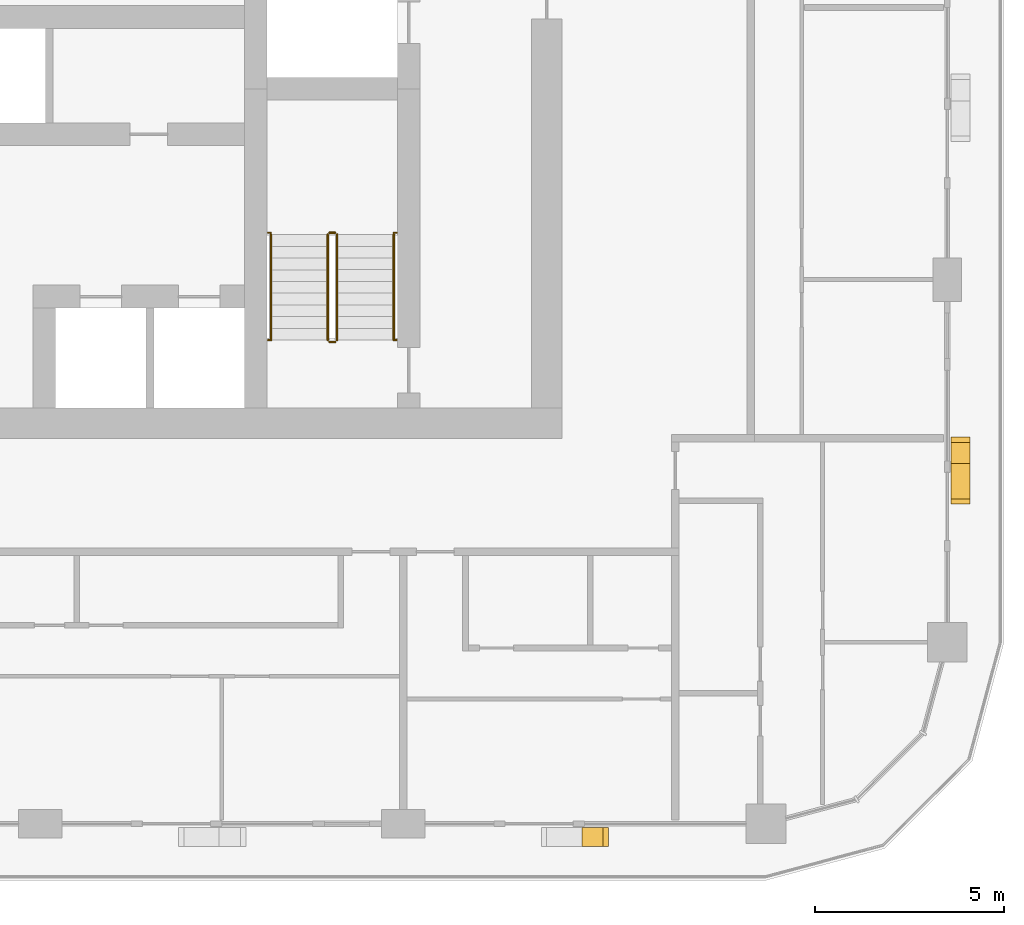
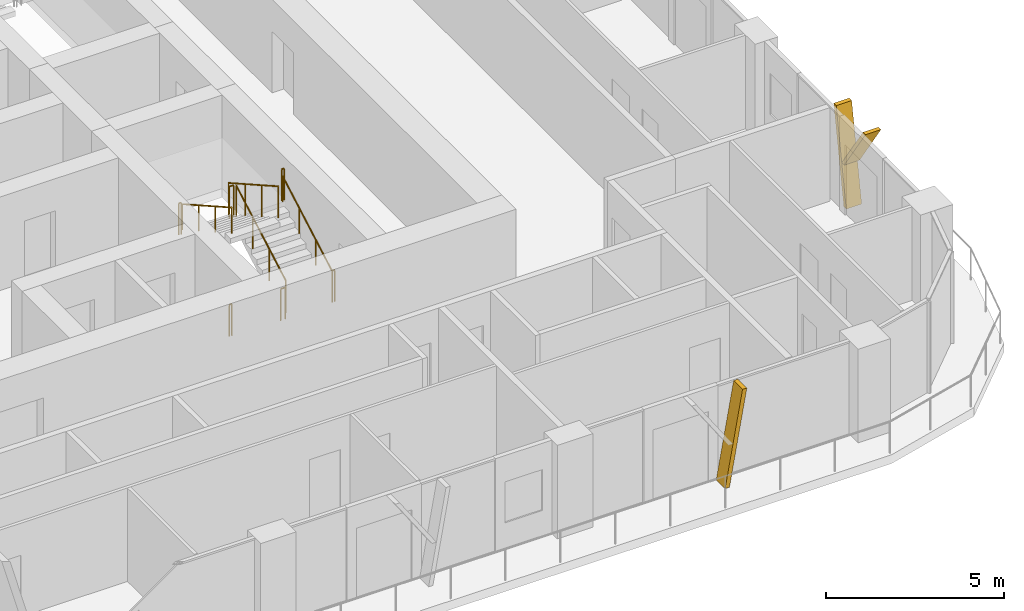
# One storey, part 19 of 22: 10 railings, 3 shading devices.
"""IFC4 building model written with IfcOpenShell, lengths in metres."""

import ifcopenshell
import ifcopenshell.guid

model = None  # the IFC model being written
_history = None  # IfcOwnerHistory: only IFC2X3 demands one
_inside = {}  # id of a spatial element -> (the spatial element, [elements in it])
_under = {}  # id of a project, library or spatial element -> (it, [spatial elements below it])
_declared = {}  # id of a project -> (the project, [libraries it declares])
_typed = {}  # id of a type object -> (the type object, [elements of that type])
_made_of = {}  # id of a material, layer set ... -> (it, [elements and type objects made of it])


def new_model(schema):
    """Start an empty IFC model of exactly this schema.

    Asked for "IFC4X3", IfcOpenShell would pick the latest addendum, in which some entities
    have other attributes; the version numbers below select the first issue.
    IFC2X3 requires an IfcOwnerHistory on every rooted entity: one is made here for all.
    """
    global model, _history
    if schema == "IFC4X3":
        model = ifcopenshell.file(schema_version=(4, 3, 0, 0))
    else:
        model = ifcopenshell.file(schema=schema)
    _inside.clear()
    _under.clear()
    _declared.clear()
    _typed.clear()
    _made_of.clear()
    _history = None
    if model.schema == "IFC2X3":
        org = make("IfcOrganization", Name="unknown")
        user = make(
            "IfcPersonAndOrganization",
            ThePerson=make("IfcPerson", FamilyName="unknown"),
            TheOrganization=org,
        )
        app = make(
            "IfcApplication",
            ApplicationDeveloper=org,
            Version="unknown",
            ApplicationFullName="unknown",
            ApplicationIdentifier="unknown",
        )
        _history = make(
            "IfcOwnerHistory",
            OwningUser=user,
            OwningApplication=app,
            ChangeAction="ADDED",
            CreationDate=0,
        )
    return model


def make(cls, **values):
    """One entity of the class cls with the attributes given. An attribute that is None is left unset."""
    return model.create_entity(
        cls, **{name: value for name, value in values.items() if value is not None}
    )


def rooted(cls, **values):
    """An entity with a GlobalId (a new one), such as an element, a storey or a relation."""
    return make(cls, GlobalId=ifcopenshell.guid.new(), OwnerHistory=_history, **values)


def si_unit(unit_type, name, prefix=None):
    """IfcSIUnit, for example si_unit("LENGTHUNIT", "METRE", prefix="MILLI")."""
    return make("IfcSIUnit", UnitType=unit_type, Prefix=prefix, Name=name)


def assignment(units):
    """IfcUnitAssignment: the units of a project."""
    return None if units is None else make("IfcUnitAssignment", Units=units)


def point(xyz):
    """IfcCartesianPoint."""
    return None if xyz is None else make("IfcCartesianPoint", Coordinates=xyz)


def direction(xyz):
    """IfcDirection."""
    return None if xyz is None else make("IfcDirection", DirectionRatios=xyz)


def frame(location, z_axis=None, x_axis=None):
    """IfcAxis2Placement3D, a coordinate frame: its origin and axes. An axis left out is left unset."""
    return make(
        "IfcAxis2Placement3D",
        Location=point(location),
        Axis=direction(z_axis),
        RefDirection=direction(x_axis),
    )


def frame_2d(location, x_axis=None):
    """IfcAxis2Placement2D, a coordinate frame in the plane: its origin and x axis."""
    return make(
        "IfcAxis2Placement2D", Location=point(location), RefDirection=direction(x_axis)
    )


def origin():
    """The frame at (0, 0, 0) with its axes left unset."""
    return frame((0.0, 0.0, 0.0))


def origin_2d():
    """The frame at (0, 0) in the plane with its x axis left unset."""
    return frame_2d((0.0, 0.0))


def place(relative_to, where):
    """IfcLocalPlacement: puts the frame where relative to a parent placement (None: the world)."""
    return make(
        "IfcLocalPlacement", PlacementRelTo=relative_to, RelativePlacement=where
    )


def context(
    kind, dimensions, precision=None, world=None, true_north=None, identifier=None
):
    """IfcGeometricRepresentationContext, for example the 3D "Model" context."""
    return make(
        "IfcGeometricRepresentationContext",
        ContextIdentifier=identifier,
        ContextType=kind,
        CoordinateSpaceDimension=dimensions,
        Precision=precision,
        WorldCoordinateSystem=world,
        TrueNorth=true_north,
    )


def subcontext(parent, identifier, kind, view, scale=None):
    """IfcGeometricRepresentationSubContext, for example "Body" below "Model"."""
    return make(
        "IfcGeometricRepresentationSubContext",
        ContextIdentifier=identifier,
        ContextType=kind,
        ParentContext=parent,
        TargetScale=scale,
        TargetView=view,
    )


def project(units=None, contexts=None):
    """IfcProject with its units and contexts."""
    return rooted(
        "IfcProject",
        Name="project",
        RepresentationContexts=contexts,
        UnitsInContext=assignment(units),
    )


def spatial(cls, under=None, at=None, **own):
    """A site, building, storey or space (cls), placed at a placement, below another one or the project."""
    s = rooted(cls, ObjectPlacement=at, **own)
    if under is not None:
        _under.setdefault(under.id(), (under, []))[1].append(s)
    return s


def polyline(points):
    """IfcPolyline through the points."""
    return make("IfcPolyline", Points=[point(p) for p in points])


def profile(cls, at=None, kind="AREA", **sizes):
    """A parametric profile (cls). Its sizes go by their IFC names, for example OverallWidth=200.0."""
    return make(cls, ProfileType=kind, Position=at, **sizes)


def circle(**sizes):
    """IfcCircleProfileDef."""
    return profile("IfcCircleProfileDef", **sizes)


def outline(outer, holes=None, kind="AREA"):
    """IfcArbitraryClosedProfileDef: a profile drawn as a closed curve; with holes, ...WithVoids."""
    if holes is None:
        return make("IfcArbitraryClosedProfileDef", ProfileType=kind, OuterCurve=outer)
    return make(
        "IfcArbitraryProfileDefWithVoids",
        ProfileType=kind,
        OuterCurve=outer,
        InnerCurves=holes,
    )


def extrude(swept, where, along, depth):
    """IfcExtrudedAreaSolid: the profile swept, set in the frame where, extruded along a direction by depth."""
    return make(
        "IfcExtrudedAreaSolid",
        SweptArea=swept,
        Position=where,
        ExtrudedDirection=direction(along),
        Depth=depth,
    )


def shape(context_of_items, identifier, shape_type, items):
    """IfcShapeRepresentation: the items that make up one representation, for example the "Body"."""
    return make(
        "IfcShapeRepresentation",
        ContextOfItems=context_of_items,
        RepresentationIdentifier=identifier,
        RepresentationType=shape_type,
        Items=items,
    )


def material(Name=None, Category=None):
    """IfcMaterial."""
    return make("IfcMaterial", Name=Name, Category=Category)


def made_of(thing, what):
    """Note that an element or type object is made of a material, layer set ...; save() writes the relation."""
    if what is not None:
        _made_of.setdefault(what.id(), (what, []))[1].append(thing)
    return thing


def type_object(cls, material=None, **own):
    """A type object (cls), such as IfcWallType, which elements share."""
    return made_of(rooted(cls, **own), material)


def element(
    cls,
    number,
    at=None,
    inside=None,
    cuts=None,
    type_object=None,
    material=None,
    context=None,
    identifier="Body",
    shape_type=None,
    held_by="IfcProductDefinitionShape",
    body=None,
    shapes=None,
    **own,
):
    """One element of the class cls, such as IfcWall. Its Tag is "e" and its number.

    at: its placement. inside: the storey or other place that contains it. cuts: it is an
    opening in that element (IfcRelVoidsElement). A single representation is given by context,
    identifier, shape_type and body (its items); several are given by shapes. held_by: the class
    of the entity that holds the representations. save() writes the other relations.
    """
    e = rooted(cls, Tag="e%d" % number, ObjectPlacement=at, **own)
    if body is not None:
        shapes = [shape(context, identifier, shape_type, body)]
    if shapes is not None:
        e.Representation = make(held_by, Representations=shapes)
    if inside is not None:
        _inside.setdefault(inside.id(), (inside, []))[1].append(e)
    if cuts is not None:
        rooted(
            "IfcRelVoidsElement", RelatingBuildingElement=cuts, RelatedOpeningElement=e
        )
    if type_object is not None:
        _typed.setdefault(type_object.id(), (type_object, []))[1].append(e)
    return made_of(e, material)


def aggregate(whole, parts):
    """IfcRelAggregates: a whole, such as a stair, and the parts it consists of."""
    return rooted("IfcRelAggregates", RelatingObject=whole, RelatedObjects=parts)


def save(model, path):
    """Write the relations noted so far, then the file.

    IfcRelAggregates (storeys below a building ...), IfcRelContainedInSpatialStructure (elements
    in a storey), IfcRelDefinesByType, IfcRelAssociatesMaterial and IfcRelDeclares: one each for
    every whole, place, type object, material and project.
    """
    for whole, parts in _under.values():
        aggregate(whole, parts)
    for where, things in _inside.values():
        rooted(
            "IfcRelContainedInSpatialStructure",
            RelatedElements=things,
            RelatingStructure=where,
        )
    for kind, things in _typed.values():
        rooted("IfcRelDefinesByType", RelatedObjects=things, RelatingType=kind)
    for what, things in _made_of.values():
        rooted("IfcRelAssociatesMaterial", RelatedObjects=things, RelatingMaterial=what)
    for by, libraries in _declared.values():
        rooted("IfcRelDeclares", RelatingContext=by, RelatedDefinitions=libraries)
    model.write(path)


model = new_model("IFC4")

# Units and contexts
model_context = context("Model", 3, precision=1e-05, world=origin(), true_north=direction((0.0, 1.0)))
body_context = subcontext(model_context, "Body", "Model", "MODEL_VIEW")
ifc_project = project(units=[si_unit("LENGTHUNIT", "METRE"), si_unit("AREAUNIT", "SQUARE_METRE"), si_unit("VOLUMEUNIT", "CUBIC_METRE"), si_unit("PLANEANGLEUNIT", "RADIAN"), si_unit("MASSUNIT", "GRAM", prefix="KILO")], contexts=[model_context])

# Site, building, storey
site_placement = place(None, origin())
site = spatial("IfcSite", under=ifc_project, at=site_placement, CompositionType="ELEMENT")
building_placement = place(site_placement, origin())
building = spatial("IfcBuilding", under=site, at=building_placement, Name="Madar Terraces", CompositionType="ELEMENT")
storey_placement = place(building_placement, frame((0.0, 0.0, 119.10009765625)))
storey = spatial("IfcBuildingStorey", under=building, at=storey_placement, Name="L30", CompositionType="ELEMENT", Elevation=119.10009765625)

# Shading devices
ifc_material_1 = material(Name="Aluminium, black anodised", Category="aluminium")
shading_device_type = type_object("IfcShadingDeviceType", Name="Facade fin blade 140 x 500", PredefinedType="USERDEFINED", material=ifc_material_1)
shading_device_1_placement = place(storey_placement, frame((47.929931640625, 4.449951171875, 0.0), z_axis=(0.0, 0.0, 1.0), x_axis=(1.0, 0.0, 0.0)))
element("IfcShadingDevice", 1, at=shading_device_1_placement, inside=storey, type_object=shading_device_type, Name="FIN L30 S5", ObjectType="FIN", PredefinedType="USERDEFINED", context=body_context, shape_type="SweptSolid", body=[
    extrude(outline(polyline([(0.0, 0.0), (0.14013671875, 0.0), (0.704345703125, 3.199951171875), (0.564208984375, 3.199951171875), (0.0, 0.0)])), frame((0.0, 0.25, 0.0), z_axis=(0.0, -1.0, 0.0), x_axis=(1.0, 0.0, 0.0)), (0.0, 0.0, 1.0), 0.5),
])
shading_device_2_placement = place(storey_placement, frame((57.949951171875, 14.330078125, 0.0), z_axis=(0.0, 0.0, 1.0), x_axis=(0.0, 1.0, 0.0)))
element("IfcShadingDevice", 2, at=shading_device_2_placement, inside=storey, type_object=shading_device_type, Name="FIN L30 E1", ObjectType="FIN", PredefinedType="USERDEFINED", context=body_context, shape_type="SweptSolid", body=[
    extrude(outline(polyline([(0.0, 0.0), (0.139892578125, 0.0), (0.704345703125, 3.199951171875), (0.564208984375, 3.199951171875), (0.0, 0.0)])), frame((0.0, 0.25, 0.0), z_axis=(0.0, -1.0, 0.0), x_axis=(1.0, 0.0, 0.0)), (0.0, 0.0, 1.0), 0.5),
])
shading_device_3_placement = place(storey_placement, frame((57.949951171875, 14.44384765625, 1.43994140625), z_axis=(0.0, 0.0, 1.0), x_axis=(0.0, 1.0, 0.0)))
element("IfcShadingDevice", 3, at=shading_device_3_placement, inside=storey, type_object=shading_device_type, Name="FIN L30 E1 branch", ObjectType="FIN", PredefinedType="USERDEFINED", context=body_context, shape_type="SweptSolid", body=[
    extrude(outline(polyline([(0.0, 0.0), (0.14013671875, 0.0), (-1.049560546875, 1.760009765625), (-1.189697265625, 1.760009765625), (0.0, 0.0)])), frame((0.0, 0.25, 0.0), z_axis=(0.0, -1.0, 0.0), x_axis=(1.0, 0.0, 0.0)), (0.0, 0.0, 1.0), 0.5),
])

# Railings
ifc_material_2 = material(Name="Stainless steel railing", Category="steel")
railing_type_1 = type_object("IfcRailingType", Name="Stair guard 1100", PredefinedType="GUARDRAIL", material=ifc_material_2)
railing_1_placement = place(storey_placement, frame((41.449951171875, 17.60009765625, 0.1748046875)))
element("IfcRailing", 4, at=railing_1_placement, inside=storey, type_object=railing_type_1, Name="L30 ST3 stair guard 1", PredefinedType="GUARDRAIL", context=body_context, shape_type="SweptSolid", body=[
    extrude(circle(Radius=0.02392578125, at=origin_2d()), frame((0.0, 0.0, 1.076171875), z_axis=(0.0, 0.870782738816, 0.491667999549), x_axis=(-1.0, 0.0, 0.0)), (0.0, 0.0, 1.0), 3.203857421875),
    extrude(circle(Radius=0.02099609375, at=origin_2d()), origin(), (0.0, 0.0, 1.0), 1.052001953125),
    extrude(circle(Radius=0.02099609375, at=origin_2d()), frame((0.0, 0.929931640625, 0.525146484375)), (0.0, 0.0, 1.0), 1.052001953125),
    extrude(circle(Radius=0.02099609375, at=origin_2d()), frame((0.0, 1.85986328125, 1.050048828125)), (0.0, 0.0, 1.0), 1.052001953125),
    extrude(circle(Radius=0.02099609375, at=origin_2d()), frame((0.0, 2.789794921875, 1.5751953125)), (0.0, 0.0, 1.0), 1.052001953125),
])
railing_2_placement = place(storey_placement, frame((41.39990234375, 20.43994140625, 1.75)))
element("IfcRailing", 5, at=railing_2_placement, inside=storey, type_object=railing_type_1, Name="L30 ST3 stair guard 2", PredefinedType="GUARDRAIL", context=body_context, shape_type="SweptSolid", body=[
    extrude(circle(Radius=0.02392578125, at=origin_2d()), frame((0.0, 0.0, 1.076171875), z_axis=(-1.0, 0.0, 0.0), x_axis=(0.0, -1.0, 0.0)), (0.0, 0.0, 1.0), 0.14990234375),
    extrude(circle(Radius=0.02099609375, at=origin_2d()), origin(), (0.0, 0.0, 1.0), 1.052001953125),
    extrude(circle(Radius=0.02099609375, at=origin_2d()), frame((-0.14990234375, 0.0, 0.0)), (0.0, 0.0, 1.0), 1.052001953125),
])
railing_3_placement = place(storey_placement, frame((41.199951171875, 20.389892578125, 1.9248046875)))
element("IfcRailing", 6, at=railing_3_placement, inside=storey, type_object=railing_type_1, Name="L30 ST3 stair guard 3", PredefinedType="GUARDRAIL", context=body_context, shape_type="SweptSolid", body=[
    extrude(circle(Radius=0.02392578125, at=origin_2d()), frame((0.0, 0.0, 1.076171875), z_axis=(0.0, -0.870782738816, 0.491667999549), x_axis=(1.0, 0.0, 0.0)), (0.0, 0.0, 1.0), 3.203857421875),
    extrude(circle(Radius=0.02099609375, at=origin_2d()), origin(), (0.0, 0.0, 1.0), 1.052001953125),
    extrude(circle(Radius=0.02099609375, at=origin_2d()), frame((0.0, -0.929931640625, 0.525146484375)), (0.0, 0.0, 1.0), 1.052001953125),
    extrude(circle(Radius=0.02099609375, at=origin_2d()), frame((0.0, -1.85986328125, 1.050048828125)), (0.0, 0.0, 1.0), 1.052001953125),
    extrude(circle(Radius=0.02099609375, at=origin_2d()), frame((0.0, -2.789794921875, 1.5751953125)), (0.0, 0.0, 1.0), 1.052001953125),
])
railing_4_placement = place(storey_placement, frame((41.39990234375, 17.550048828125, 0.0)))
element("IfcRailing", 7, at=railing_4_placement, inside=storey, type_object=railing_type_1, Name="L30 ST3 stair guard 4", PredefinedType="GUARDRAIL", context=body_context, shape_type="SweptSolid", body=[
    extrude(circle(Radius=0.02392578125, at=origin_2d()), frame((0.0, 0.0, 1.076171875), z_axis=(-1.0, 0.0, 0.0), x_axis=(0.0, -1.0, 0.0)), (0.0, 0.0, 1.0), 0.14990234375),
    extrude(circle(Radius=0.02099609375, at=origin_2d()), origin(), (0.0, 0.0, 1.0), 1.052001953125),
    extrude(circle(Radius=0.02099609375, at=origin_2d()), frame((-0.14990234375, 0.0, 0.0)), (0.0, 0.0, 1.0), 1.052001953125),
])
railing_5_placement = place(storey_placement, frame((39.6201171875, 20.43994140625, 1.75)))
element("IfcRailing", 8, at=railing_5_placement, inside=storey, type_object=railing_type_1, Name="L30 stair guard seat 1", PredefinedType="GUARDRAIL", context=body_context, shape_type="SweptSolid", body=[
    extrude(circle(Radius=0.02392578125, at=origin_2d()), frame((0.0, 0.0, 1.076171875), z_axis=(1.0, 0.0, 0.0), x_axis=(0.0, 1.0, 0.0)), (0.0, 0.0, 1.0), 0.079833984375),
    extrude(circle(Radius=0.02099609375, at=origin_2d()), origin(), (0.0, 0.0, 1.0), 1.052001953125),
    extrude(circle(Radius=0.02099609375, at=origin_2d()), frame((0.079833984375, 0.0, 0.0)), (0.0, 0.0, 1.0), 1.052001953125),
])
railing_6_placement = place(storey_placement, frame((42.949951171875, 20.43994140625, 1.75)))
element("IfcRailing", 9, at=railing_6_placement, inside=storey, type_object=railing_type_1, Name="L30 stair guard seat 2", PredefinedType="GUARDRAIL", context=body_context, shape_type="SweptSolid", body=[
    extrude(circle(Radius=0.02392578125, at=origin_2d()), frame((0.0, 0.0, 1.076171875), z_axis=(1.0, 0.0, 0.0), x_axis=(0.0, 1.0, 0.0)), (0.0, 0.0, 1.0), 0.080078125),
    extrude(circle(Radius=0.02099609375, at=origin_2d()), origin(), (0.0, 0.0, 1.0), 1.052001953125),
    extrude(circle(Radius=0.02099609375, at=origin_2d()), frame((0.080078125, 0.0, 0.0)), (0.0, 0.0, 1.0), 1.052001953125),
])
railing_7_placement = place(storey_placement, frame((39.6201171875, 17.60009765625, 0.0)))
element("IfcRailing", 10, at=railing_7_placement, inside=storey, type_object=railing_type_1, Name="L30 stair guard floor 1", PredefinedType="GUARDRAIL", context=body_context, shape_type="SweptSolid", body=[
    extrude(circle(Radius=0.02392578125, at=origin_2d()), frame((0.0, 0.0, 1.076171875), z_axis=(1.0, 0.0, 0.0), x_axis=(0.0, 1.0, 0.0)), (0.0, 0.0, 1.0), 0.079833984375),
    extrude(circle(Radius=0.02099609375, at=origin_2d()), origin(), (0.0, 0.0, 1.0), 1.052001953125),
    extrude(circle(Radius=0.02099609375, at=origin_2d()), frame((0.079833984375, 0.0, 0.0)), (0.0, 0.0, 1.0), 1.052001953125),
])
railing_8_placement = place(storey_placement, frame((42.949951171875, 17.60009765625, 0.0)))
element("IfcRailing", 11, at=railing_8_placement, inside=storey, type_object=railing_type_1, Name="L30 stair guard floor 2", PredefinedType="GUARDRAIL", context=body_context, shape_type="SweptSolid", body=[
    extrude(circle(Radius=0.02392578125, at=origin_2d()), frame((0.0, 0.0, 1.076171875), z_axis=(1.0, 0.0, 0.0), x_axis=(0.0, 1.0, 0.0)), (0.0, 0.0, 1.0), 0.080078125),
    extrude(circle(Radius=0.02099609375, at=origin_2d()), origin(), (0.0, 0.0, 1.0), 1.052001953125),
    extrude(circle(Radius=0.02099609375, at=origin_2d()), frame((0.080078125, 0.0, 0.0)), (0.0, 0.0, 1.0), 1.052001953125),
])
ifc_material_3 = material(Name="Stainless steel railing", Category="steel")
railing_type_2 = type_object("IfcRailingType", Name="Stair handrail 900", PredefinedType="HANDRAIL", material=ifc_material_3)
railing_9_placement = place(storey_placement, frame((42.949951171875, 17.60009765625, 0.1748046875)))
element("IfcRailing", 12, at=railing_9_placement, inside=storey, type_object=railing_type_2, Name="L30 ST3 stair handrail 1", PredefinedType="HANDRAIL", context=body_context, shape_type="SweptSolid", body=[
    extrude(circle(Radius=0.02392578125, at=origin_2d()), frame((0.0, 0.0, 0.8759765625), z_axis=(0.0, 0.870782738816, 0.491667999549), x_axis=(-1.0, 0.0, 0.0)), (0.0, 0.0, 1.0), 3.203857421875),
    extrude(circle(Radius=0.02099609375, at=origin_2d()), origin(), (0.0, 0.0, 1.0), 0.851806640625),
    extrude(circle(Radius=0.02099609375, at=origin_2d()), frame((0.0, 0.929931640625, 0.525146484375)), (0.0, 0.0, 1.0), 0.851806640625),
    extrude(circle(Radius=0.02099609375, at=origin_2d()), frame((0.0, 1.85986328125, 1.050048828125)), (0.0, 0.0, 1.0), 0.851806640625),
    extrude(circle(Radius=0.02099609375, at=origin_2d()), frame((0.0, 2.789794921875, 1.5751953125)), (0.0, 0.0, 1.0), 0.851806640625),
])
railing_10_placement = place(storey_placement, frame((39.699951171875, 20.389892578125, 1.9248046875)))
element("IfcRailing", 13, at=railing_10_placement, inside=storey, type_object=railing_type_2, Name="L30 ST3 stair handrail 2", PredefinedType="HANDRAIL", context=body_context, shape_type="SweptSolid", body=[
    extrude(circle(Radius=0.02392578125, at=origin_2d()), frame((0.0, 0.0, 0.8759765625), z_axis=(0.0, -0.870782738816, 0.491667999549), x_axis=(1.0, 0.0, 0.0)), (0.0, 0.0, 1.0), 3.203857421875),
    extrude(circle(Radius=0.02099609375, at=origin_2d()), origin(), (0.0, 0.0, 1.0), 0.851806640625),
    extrude(circle(Radius=0.02099609375, at=origin_2d()), frame((0.0, -0.929931640625, 0.525146484375)), (0.0, 0.0, 1.0), 0.851806640625),
    extrude(circle(Radius=0.02099609375, at=origin_2d()), frame((0.0, -1.85986328125, 1.050048828125)), (0.0, 0.0, 1.0), 0.851806640625),
    extrude(circle(Radius=0.02099609375, at=origin_2d()), frame((0.0, -2.789794921875, 1.5751953125)), (0.0, 0.0, 1.0), 0.851806640625),
])

save(model, "model.ifc")
